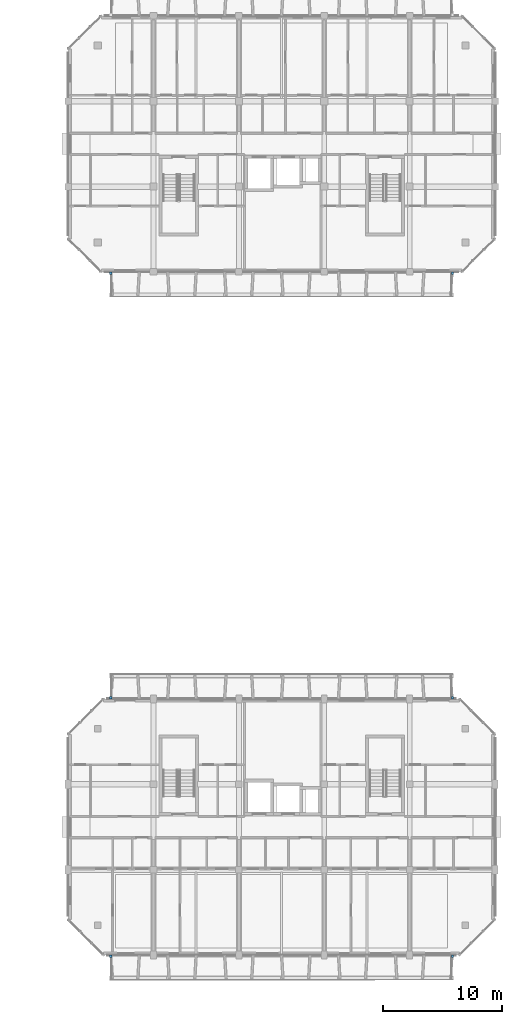
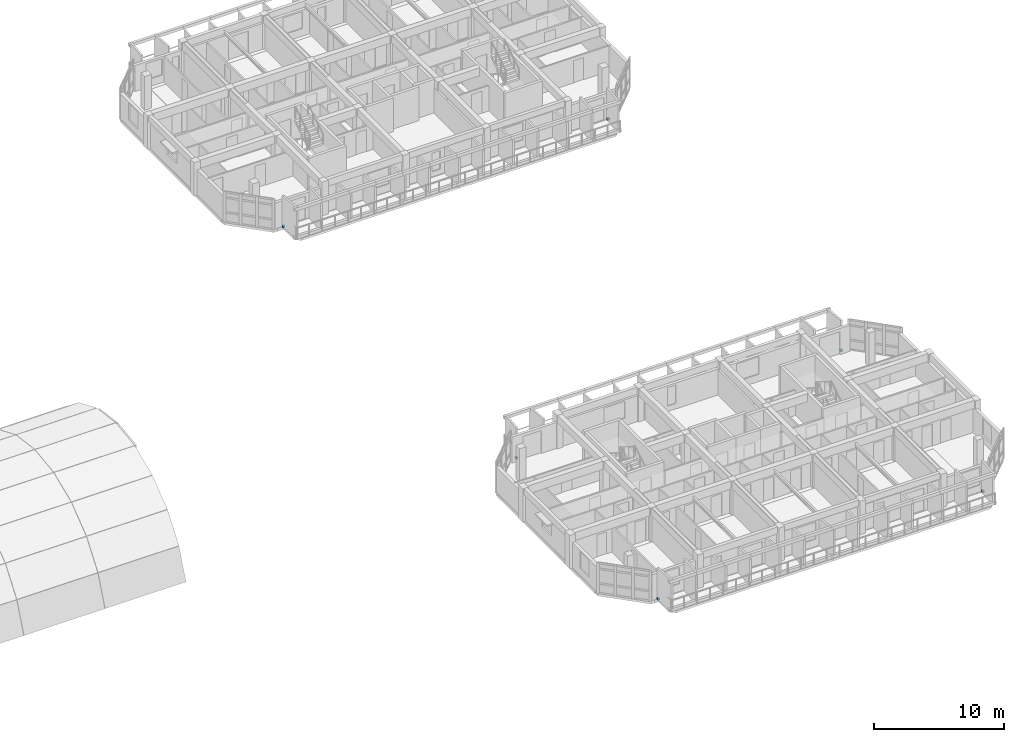
# One storey, part 39 of 51: 6 discrete accessories.
"""IFC4 building model written with IfcOpenShell, lengths in metres."""

from ifc_helpers import new_model, si_unit, direction, frame, origin, origin_2d, place, context, subcontext, project, spatial, rectangle, extrude, material, type_object, element, save


model = new_model("IFC4")

# Units and contexts
model_context = context("Model", 3, precision=1e-05, world=origin(), true_north=direction((0.0, 1.0)))
body_context = subcontext(model_context, "Body", "Model", "MODEL_VIEW")
ifc_project = project(units=[si_unit("LENGTHUNIT", "METRE"), si_unit("AREAUNIT", "SQUARE_METRE"), si_unit("VOLUMEUNIT", "CUBIC_METRE"), si_unit("PLANEANGLEUNIT", "RADIAN"), si_unit("MASSUNIT", "GRAM", prefix="KILO")], contexts=[model_context])

# Site, building, storey
site_placement = place(None, origin())
site = spatial("IfcSite", under=ifc_project, at=site_placement, CompositionType="ELEMENT")
building_placement = place(site_placement, origin())
building = spatial("IfcBuilding", under=site, at=building_placement, Name="Ochrevale Crest", CompositionType="ELEMENT")
storey_placement = place(building_placement, frame((0.0, 0.0, 11.85009765625)))
storey = spatial("IfcBuildingStorey", under=building, at=storey_placement, Name="L03", CompositionType="ELEMENT", Elevation=11.85009765625)

# Discrete accessories
ifc_material = material(Name="Galvanised steel", Category="steel")
discrete_accessory_type = type_object("IfcDiscreteAccessoryType", Name="ACC-BRK-HC", PredefinedType="BRACKET", material=ifc_material)
for number, where, z_axis, x_axis, name in (
    (1, (133.199951171875, 14.300048828125, 0.0), (0.0, 0.0, 1.0), (1.0, 0.0, 0.0), "Block C L03 precast loggia corbel bracket"),
    (2, (162.0, 14.300048828125, 0.0), (0.0, 0.0, 1.0), (1.0, 0.0, 0.0), "Block C L03 precast loggia corbel bracket"),
    (3, (133.199951171875, 36.10009765625, 0.0), (0.0, 0.0, 1.0), (1.0, 0.0, 0.0), "Block C L03 precast loggia corbel bracket"),
    (4, (162.0, 36.10009765625, 0.0), (0.0, 0.0, 1.0), (1.0, 0.0, 0.0), "Block C L03 precast loggia corbel bracket"),
    (5, (133.199951171875, 71.89990234375, 0.0), (0.0, 0.0, 1.0), (1.0, 0.0, 0.0), "Block D L03 precast loggia corbel bracket"),
    (6, (162.0, 71.89990234375, 0.0), (0.0, 0.0, 1.0), (1.0, 0.0, 0.0), "Block D L03 precast loggia corbel bracket"),
):
    element("IfcDiscreteAccessory", number, at=place(storey_placement, frame(where, z_axis=z_axis, x_axis=x_axis)), inside=storey, type_object=discrete_accessory_type, Name=name, PredefinedType="BRACKET", context=body_context, shape_type="SweptSolid", body=[
        extrude(rectangle(XDim=0.179931640625, YDim=0.219970703125, at=origin_2d()), origin(), (0.0, 0.0, 1.0), 0.179931640625),
    ])

save(model, "model.ifc")
